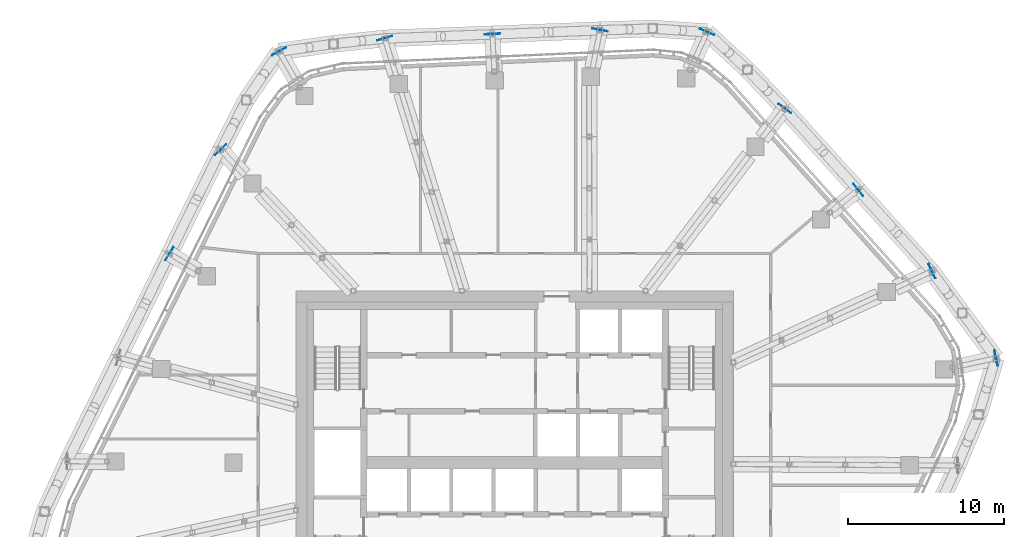
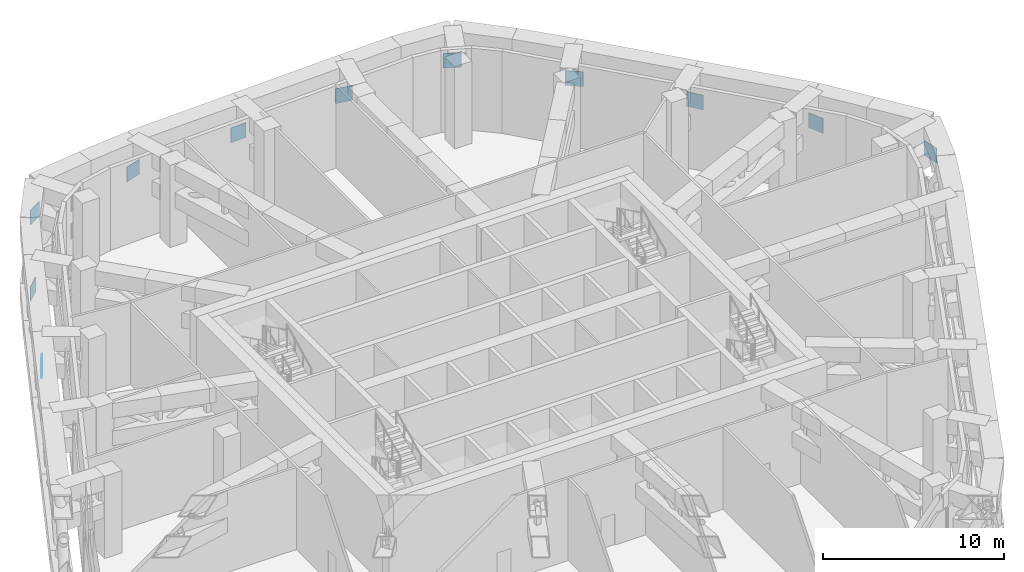
# One storey, part 20 of 31: 11 discrete accessories.
"""IFC4 building model written with IfcOpenShell, lengths in metres."""

from ifc_helpers import new_model, si_unit, direction, frame, origin, origin_2d, place, context, subcontext, project, spatial, rectangle, extrude, material, type_object, element, save


model = new_model("IFC4")

# Units and contexts
model_context = context("Model", 3, precision=1e-05, world=origin(), true_north=direction((0.0, 1.0)))
body_context = subcontext(model_context, "Body", "Model", "MODEL_VIEW")
ifc_project = project(units=[si_unit("LENGTHUNIT", "METRE"), si_unit("AREAUNIT", "SQUARE_METRE"), si_unit("VOLUMEUNIT", "CUBIC_METRE"), si_unit("PLANEANGLEUNIT", "RADIAN"), si_unit("MASSUNIT", "GRAM", prefix="KILO")], contexts=[model_context])

# Site, building, storey
site_placement = place(None, origin())
site = spatial("IfcSite", under=ifc_project, at=site_placement, CompositionType="ELEMENT")
building_placement = place(site_placement, origin())
building = spatial("IfcBuilding", under=site, at=building_placement, Name="Dongbaek Canopy Tower", CompositionType="ELEMENT")
storey_placement = place(building_placement, frame((0.0, 0.0, 283.199951171875)))
storey = spatial("IfcBuildingStorey", under=building, at=storey_placement, Name="L60", CompositionType="ELEMENT", Elevation=283.199951171875)

# Discrete accessories
ifc_material = material(Name="Steel S355 end plate", Category="steel")
discrete_accessory_type = type_object("IfcDiscreteAccessoryType", Name="Chord end plate EP 1000x1000x40", PredefinedType="BRACKET", material=ifc_material)
for number, where, z_axis, x_axis, name in (
    (1, (-22.093017578125, 13.39453125, 2.699951171875), (0.0, 0.0, 1.0), (0.855113716837, -0.518440479975, 0.0), "End plate TR60-12"),
    (2, (-18.81982421875, 20.04638671875, 2.699951171875), (0.0, 0.0, 1.0), (0.684447860945, -0.729061811953, 0.0), "End plate TR60-13s"),
    (3, (-15.071533203125, 26.338623046875, 2.699951171875), (0.0, 0.0, 1.0), (0.496655875004, -0.867947545549, 0.0), "End plate TR60-14"),
    (4, (-8.314208984375, 27.183349609375, 2.699951171875), (0.0, 0.0, 1.0), (0.292486868202, -0.956269539371, 0.0), "End plate TR60-15s"),
    (5, (-1.41943359375, 27.447998046875, 2.699951171875), (0.0, 0.0, 1.0), (0.051649226611, -0.998665287967, 0.0), "End plate TR60-16"),
    (6, (5.475341796875, 27.71142578125, 2.699951171875), (0.0, 0.0, 1.0), (-0.193833706036, -0.981034400215, 0.0), "End plate TR60-17s"),
    (7, (12.322265625, 27.581298828125, 2.699951171875), (0.0, 0.0, 1.0), (-0.407908219731, -0.913022937431, 0.0), "End plate TR60-18"),
    (8, (17.287841796875, 22.68212890625, 2.699951171875), (0.0, 0.0, 1.0), (-0.60617858869, -0.795328560165, 0.0), "End plate TR60-19s"),
    (9, (22.005615234375, 17.474609375, 2.699951171875), (0.0, 0.0, 1.0), (-0.783121801305, -0.62186834967, 0.0), "End plate TR60-20"),
    (10, (26.72119140625, 12.265625, 2.699951171875), (0.0, 0.0, 1.0), (-0.908826624174, -0.417174025069, 0.0), "End plate TR60-21s"),
    (11, (30.82470703125, 6.70166015625, 2.699951171875), (0.0, 0.0, 1.0), (-0.977172929552, -0.212445441823, 0.0), "End plate TR60-22"),
):
    element("IfcDiscreteAccessory", number, at=place(storey_placement, frame(where, z_axis=z_axis, x_axis=x_axis)), inside=storey, type_object=discrete_accessory_type, Name=name, PredefinedType="BRACKET", context=body_context, shape_type="SweptSolid", body=[
        extrude(rectangle(XDim=0.0400390625, YDim=1.0, at=origin_2d()), origin(), (0.0, 0.0, 1.0), 1.0),
    ])

save(model, "model.ifc")
